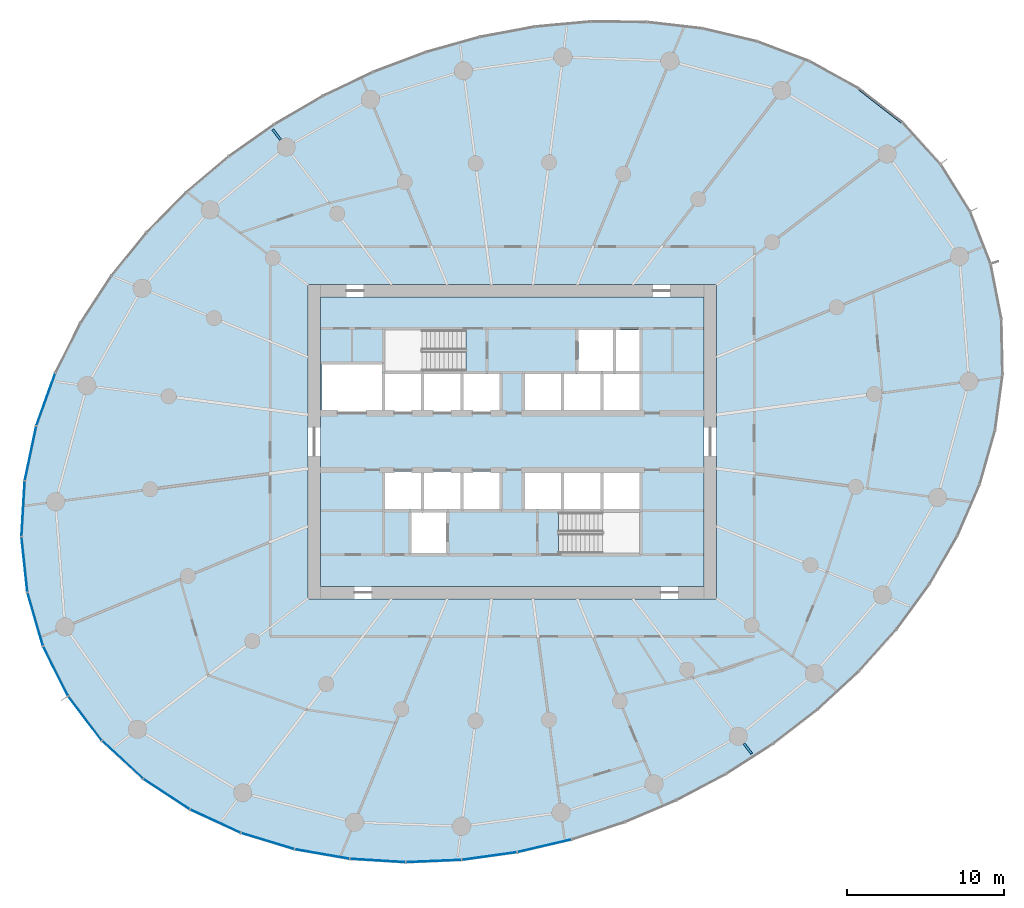
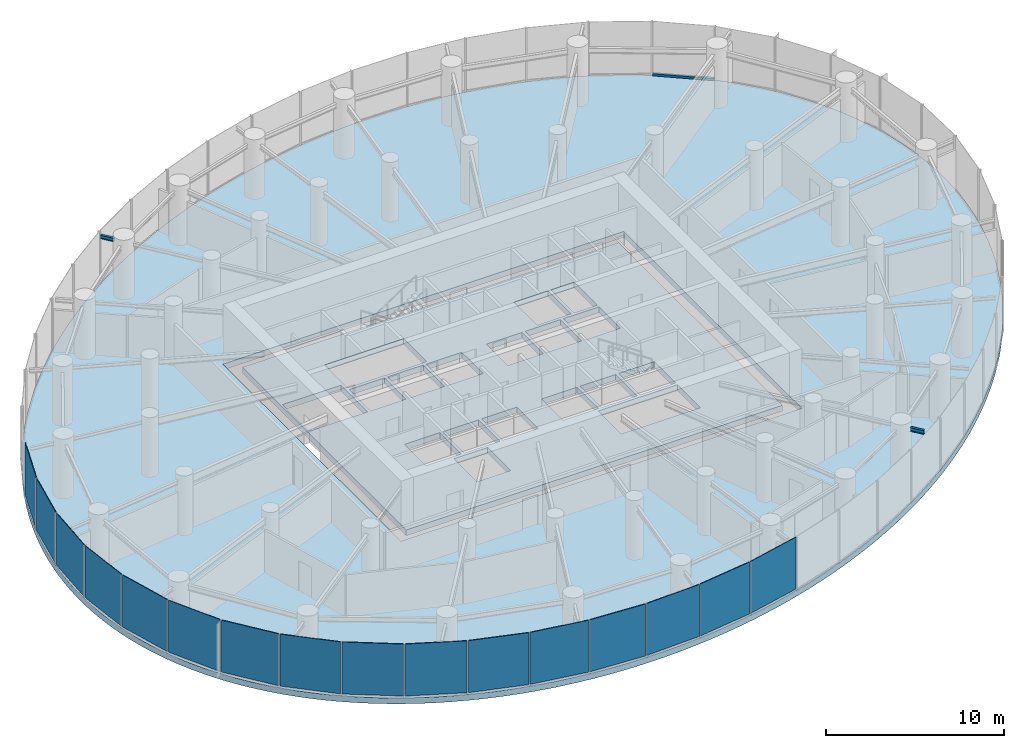
# One storey, part 8 of 17: 16 plates, 2 beams, 2 slabs, 1 member, 4 elements without a shape of their own.
"""IFC4 building model written with IfcOpenShell, lengths in metres."""

import ifcopenshell
import ifcopenshell.guid

model = None  # the IFC model being written
_history = None  # IfcOwnerHistory: only IFC2X3 demands one
_inside = {}  # id of a spatial element -> (the spatial element, [elements in it])
_under = {}  # id of a project, library or spatial element -> (it, [spatial elements below it])
_declared = {}  # id of a project -> (the project, [libraries it declares])
_typed = {}  # id of a type object -> (the type object, [elements of that type])
_made_of = {}  # id of a material, layer set ... -> (it, [elements and type objects made of it])


def new_model(schema):
    """Start an empty IFC model of exactly this schema.

    Asked for "IFC4X3", IfcOpenShell would pick the latest addendum, in which some entities
    have other attributes; the version numbers below select the first issue.
    IFC2X3 requires an IfcOwnerHistory on every rooted entity: one is made here for all.
    """
    global model, _history
    if schema == "IFC4X3":
        model = ifcopenshell.file(schema_version=(4, 3, 0, 0))
    else:
        model = ifcopenshell.file(schema=schema)
    _inside.clear()
    _under.clear()
    _declared.clear()
    _typed.clear()
    _made_of.clear()
    _history = None
    if model.schema == "IFC2X3":
        org = make("IfcOrganization", Name="unknown")
        user = make(
            "IfcPersonAndOrganization",
            ThePerson=make("IfcPerson", FamilyName="unknown"),
            TheOrganization=org,
        )
        app = make(
            "IfcApplication",
            ApplicationDeveloper=org,
            Version="unknown",
            ApplicationFullName="unknown",
            ApplicationIdentifier="unknown",
        )
        _history = make(
            "IfcOwnerHistory",
            OwningUser=user,
            OwningApplication=app,
            ChangeAction="ADDED",
            CreationDate=0,
        )
    return model


def make(cls, **values):
    """One entity of the class cls with the attributes given. An attribute that is None is left unset."""
    return model.create_entity(
        cls, **{name: value for name, value in values.items() if value is not None}
    )


def rooted(cls, **values):
    """An entity with a GlobalId (a new one), such as an element, a storey or a relation."""
    return make(cls, GlobalId=ifcopenshell.guid.new(), OwnerHistory=_history, **values)


def si_unit(unit_type, name, prefix=None):
    """IfcSIUnit, for example si_unit("LENGTHUNIT", "METRE", prefix="MILLI")."""
    return make("IfcSIUnit", UnitType=unit_type, Prefix=prefix, Name=name)


def assignment(units):
    """IfcUnitAssignment: the units of a project."""
    return None if units is None else make("IfcUnitAssignment", Units=units)


def point(xyz):
    """IfcCartesianPoint."""
    return None if xyz is None else make("IfcCartesianPoint", Coordinates=xyz)


def direction(xyz):
    """IfcDirection."""
    return None if xyz is None else make("IfcDirection", DirectionRatios=xyz)


def frame(location, z_axis=None, x_axis=None):
    """IfcAxis2Placement3D, a coordinate frame: its origin and axes. An axis left out is left unset."""
    return make(
        "IfcAxis2Placement3D",
        Location=point(location),
        Axis=direction(z_axis),
        RefDirection=direction(x_axis),
    )


def frame_2d(location, x_axis=None):
    """IfcAxis2Placement2D, a coordinate frame in the plane: its origin and x axis."""
    return make(
        "IfcAxis2Placement2D", Location=point(location), RefDirection=direction(x_axis)
    )


def origin():
    """The frame at (0, 0, 0) with its axes left unset."""
    return frame((0.0, 0.0, 0.0))


def origin_2d():
    """The frame at (0, 0) in the plane with its x axis left unset."""
    return frame_2d((0.0, 0.0))


def place(relative_to, where):
    """IfcLocalPlacement: puts the frame where relative to a parent placement (None: the world)."""
    return make(
        "IfcLocalPlacement", PlacementRelTo=relative_to, RelativePlacement=where
    )


def context(
    kind, dimensions, precision=None, world=None, true_north=None, identifier=None
):
    """IfcGeometricRepresentationContext, for example the 3D "Model" context."""
    return make(
        "IfcGeometricRepresentationContext",
        ContextIdentifier=identifier,
        ContextType=kind,
        CoordinateSpaceDimension=dimensions,
        Precision=precision,
        WorldCoordinateSystem=world,
        TrueNorth=true_north,
    )


def subcontext(parent, identifier, kind, view, scale=None):
    """IfcGeometricRepresentationSubContext, for example "Body" below "Model"."""
    return make(
        "IfcGeometricRepresentationSubContext",
        ContextIdentifier=identifier,
        ContextType=kind,
        ParentContext=parent,
        TargetScale=scale,
        TargetView=view,
    )


def project(units=None, contexts=None):
    """IfcProject with its units and contexts."""
    return rooted(
        "IfcProject",
        Name="project",
        RepresentationContexts=contexts,
        UnitsInContext=assignment(units),
    )


def spatial(cls, under=None, at=None, **own):
    """A site, building, storey or space (cls), placed at a placement, below another one or the project."""
    s = rooted(cls, ObjectPlacement=at, **own)
    if under is not None:
        _under.setdefault(under.id(), (under, []))[1].append(s)
    return s


def point_list(points):
    """IfcCartesianPointList2D or 3D."""
    cls = (
        "IfcCartesianPointList2D" if len(points[0]) == 2 else "IfcCartesianPointList3D"
    )
    return make(cls, CoordList=points)


def line(*indices):
    """IfcLineIndex: a straight run through numbered points of an indexed curve."""
    return model.create_entity("IfcLineIndex", indices)


def indexed_curve(points, segments=None, self_intersect=None):
    """IfcIndexedPolyCurve: lines and arcs through numbered points (the first is 1)."""
    return make(
        "IfcIndexedPolyCurve",
        Points=point_list(points),
        Segments=segments,
        SelfIntersect=self_intersect,
    )


def profile(cls, at=None, kind="AREA", **sizes):
    """A parametric profile (cls). Its sizes go by their IFC names, for example OverallWidth=200.0."""
    return make(cls, ProfileType=kind, Position=at, **sizes)


def rectangle(**sizes):
    """IfcRectangleProfileDef."""
    return profile("IfcRectangleProfileDef", **sizes)


def i_section(**sizes):
    """IfcIShapeProfileDef."""
    return profile("IfcIShapeProfileDef", **sizes)


def outline(outer, holes=None, kind="AREA"):
    """IfcArbitraryClosedProfileDef: a profile drawn as a closed curve; with holes, ...WithVoids."""
    if holes is None:
        return make("IfcArbitraryClosedProfileDef", ProfileType=kind, OuterCurve=outer)
    return make(
        "IfcArbitraryProfileDefWithVoids",
        ProfileType=kind,
        OuterCurve=outer,
        InnerCurves=holes,
    )


def extrude(swept, where, along, depth):
    """IfcExtrudedAreaSolid: the profile swept, set in the frame where, extruded along a direction by depth."""
    return make(
        "IfcExtrudedAreaSolid",
        SweptArea=swept,
        Position=where,
        ExtrudedDirection=direction(along),
        Depth=depth,
    )


def shape(context_of_items, identifier, shape_type, items):
    """IfcShapeRepresentation: the items that make up one representation, for example the "Body"."""
    return make(
        "IfcShapeRepresentation",
        ContextOfItems=context_of_items,
        RepresentationIdentifier=identifier,
        RepresentationType=shape_type,
        Items=items,
    )


def source(mapping_origin, context_of_items, identifier, shape_type, items):
    """IfcRepresentationMap: a shape defined once, which mapped items show again and again."""
    return make(
        "IfcRepresentationMap",
        MappingOrigin=mapping_origin,
        MappedRepresentation=shape(context_of_items, identifier, shape_type, items),
    )


def transform(
    local_origin,
    x_axis=None,
    y_axis=None,
    z_axis=None,
    scale=None,
    scale2=None,
    scale3=None,
    uniform=True,
):
    """IfcCartesianTransformationOperator3D, or its non-uniform kind. x_axis, y_axis, z_axis: its Axis1, 2, 3."""
    if uniform:
        return make(
            "IfcCartesianTransformationOperator3D",
            Axis1=direction(x_axis),
            Axis2=direction(y_axis),
            LocalOrigin=point(local_origin),
            Scale=scale,
            Axis3=direction(z_axis),
        )
    return make(
        "IfcCartesianTransformationOperator3DnonUniform",
        Axis1=direction(x_axis),
        Axis2=direction(y_axis),
        LocalOrigin=point(local_origin),
        Scale=scale,
        Axis3=direction(z_axis),
        Scale2=scale2,
        Scale3=scale3,
    )


def mapped(mapping_source, mapping_target):
    """IfcMappedItem: shows the shape of a source again, moved by a transform."""
    return make(
        "IfcMappedItem", MappingSource=mapping_source, MappingTarget=mapping_target
    )


def material(Name=None, Category=None):
    """IfcMaterial."""
    return make("IfcMaterial", Name=Name, Category=Category)


def layer(
    of_material, thickness, ventilated=None, Name=None, Category=None, Priority=None
):
    """IfcMaterialLayer: one layer of a wall or slab, of a material (None: an air gap)."""
    return make(
        "IfcMaterialLayer",
        Material=of_material,
        LayerThickness=thickness,
        IsVentilated=ventilated,
        Name=Name,
        Category=Category,
        Priority=Priority,
    )


def layer_set(layers, Name=None):
    """IfcMaterialLayerSet."""
    return make("IfcMaterialLayerSet", MaterialLayers=layers, LayerSetName=Name)


def material_profile(
    of_material, cross_section, Name=None, Category=None, Priority=None
):
    """IfcMaterialProfile: a cross section and its material."""
    return make(
        "IfcMaterialProfile",
        Name=Name,
        Material=of_material,
        Profile=cross_section,
        Priority=Priority,
        Category=Category,
    )


def profile_set(profiles, Name=None, composite=None):
    """IfcMaterialProfileSet."""
    return make(
        "IfcMaterialProfileSet",
        Name=Name,
        MaterialProfiles=profiles,
        CompositeProfile=composite,
    )


def made_of(thing, what):
    """Note that an element or type object is made of a material, layer set ...; save() writes the relation."""
    if what is not None:
        _made_of.setdefault(what.id(), (what, []))[1].append(thing)
    return thing


def type_object(cls, material=None, **own):
    """A type object (cls), such as IfcWallType, which elements share."""
    return made_of(rooted(cls, **own), material)


def element(
    cls,
    number,
    at=None,
    inside=None,
    cuts=None,
    type_object=None,
    material=None,
    context=None,
    identifier="Body",
    shape_type=None,
    held_by="IfcProductDefinitionShape",
    body=None,
    shapes=None,
    **own,
):
    """One element of the class cls, such as IfcWall. Its Tag is "e" and its number.

    at: its placement. inside: the storey or other place that contains it. cuts: it is an
    opening in that element (IfcRelVoidsElement). A single representation is given by context,
    identifier, shape_type and body (its items); several are given by shapes. held_by: the class
    of the entity that holds the representations. save() writes the other relations.
    """
    e = rooted(cls, Tag="e%d" % number, ObjectPlacement=at, **own)
    if body is not None:
        shapes = [shape(context, identifier, shape_type, body)]
    if shapes is not None:
        e.Representation = make(held_by, Representations=shapes)
    if inside is not None:
        _inside.setdefault(inside.id(), (inside, []))[1].append(e)
    if cuts is not None:
        rooted(
            "IfcRelVoidsElement", RelatingBuildingElement=cuts, RelatedOpeningElement=e
        )
    if type_object is not None:
        _typed.setdefault(type_object.id(), (type_object, []))[1].append(e)
    return made_of(e, material)


def aggregate(whole, parts):
    """IfcRelAggregates: a whole, such as a stair, and the parts it consists of."""
    return rooted("IfcRelAggregates", RelatingObject=whole, RelatedObjects=parts)


def save(model, path):
    """Write the relations noted so far, then the file.

    IfcRelAggregates (storeys below a building ...), IfcRelContainedInSpatialStructure (elements
    in a storey), IfcRelDefinesByType, IfcRelAssociatesMaterial and IfcRelDeclares: one each for
    every whole, place, type object, material and project.
    """
    for whole, parts in _under.values():
        aggregate(whole, parts)
    for where, things in _inside.values():
        rooted(
            "IfcRelContainedInSpatialStructure",
            RelatedElements=things,
            RelatingStructure=where,
        )
    for kind, things in _typed.values():
        rooted("IfcRelDefinesByType", RelatedObjects=things, RelatingType=kind)
    for what, things in _made_of.values():
        rooted("IfcRelAssociatesMaterial", RelatedObjects=things, RelatingMaterial=what)
    for by, libraries in _declared.values():
        rooted("IfcRelDeclares", RelatingContext=by, RelatedDefinitions=libraries)
    model.write(path)


model = new_model("IFC4")

# Units and contexts
model_context = context("Model", 3, precision=1e-05, world=origin(), true_north=direction((0.0, 1.0)))
body_context = subcontext(model_context, "Body", "Model", "MODEL_VIEW")
ifc_project = project(units=[si_unit("LENGTHUNIT", "METRE"), si_unit("AREAUNIT", "SQUARE_METRE"), si_unit("VOLUMEUNIT", "CUBIC_METRE"), si_unit("PLANEANGLEUNIT", "RADIAN"), si_unit("MASSUNIT", "GRAM", prefix="KILO")], contexts=[model_context])

# Site, building, storey
site_placement = place(None, origin())
site = spatial("IfcSite", under=ifc_project, at=site_placement, CompositionType="ELEMENT")
building_placement = place(site_placement, origin())
building = spatial("IfcBuilding", under=site, at=building_placement, Name="Spindrift Exchange Tower", CompositionType="ELEMENT")
storey_placement = place(building_placement, frame((0.0, 0.0, 100.300048828125)))
storey = spatial("IfcBuildingStorey", under=building, at=storey_placement, Name="L23", CompositionType="ELEMENT", Elevation=100.300048828125)

# Beams
ifc_material_1 = material(Name="Steel Grade 300", Category="steel")
ifc_material_profile_1 = material_profile(ifc_material_1, i_section(OverallWidth=0.14599609375, OverallDepth=0.251953125, WebThickness=0.006103515625, FlangeThickness=0.008544921875, FilletRadius=0.011962890625, at=origin_2d()), Name="250UB31.4")
ifc_profile_set_1 = profile_set([ifc_material_profile_1], Name="Steel Grade 300")
beam_type = type_object("IfcBeamType", Name="Cantilever Beam 250UB31.4 Steel Grade 300", PredefinedType="BEAM", material=ifc_profile_set_1)
shared_shape_1 = source(origin(), body_context, "Body", "SweptSolid", [
    extrude(i_section(OverallWidth=0.14599609375, OverallDepth=0.251953125, WebThickness=0.006103515625, FlangeThickness=0.008544921875, FilletRadius=0.011962890625, at=origin_2d()), origin(), (0.0, 0.0, 1.0), 0.82177734375),
])
for number, where, z_axis, x_axis, name in (
    (1, (37.264892578125, 67.203125, 3.573974609375), (-0.608805739137, 0.793319337968, 0.0), (-0.793319337968, -0.608805739137, 0.0), "L23 cantilever beam R09T"),
    (2, (66.735107421875, 28.796875, 3.573974609375), (0.608805739137, -0.793319337968, 0.0), (0.793319337968, 0.608805739137, 0.0), "L23 cantilever beam R21T"),
):
    element("IfcBeam", number, at=place(storey_placement, frame(where, z_axis=z_axis, x_axis=x_axis)), inside=storey, type_object=beam_type, Name=name, PredefinedType="BEAM", context=body_context, shape_type="MappedRepresentation", body=[
        mapped(shared_shape_1, transform((0.0, 0.0, 0.0), scale=1.0)),
    ])

# Curtain wall, member
ifc_material_2 = material(Name="Fritted laminated glass with bronze frame", Category="glass")
ifc_layer_1 = layer(ifc_material_2, 0.18994140625)
ifc_layer_set_1 = layer_set([ifc_layer_1], Name="ZONE 2 BRONZE FRITTED WALL")
curtain_wall_type = type_object("IfcCurtainWallType", Name="ZONE 2 BRONZE FRITTED WALL", PredefinedType="NOTDEFINED", material=ifc_layer_set_1)
curtain_wall_1_placement = place(storey_placement, origin())
curtain_wall_1 = element("IfcCurtainWall", 3, at=curtain_wall_1_placement, inside=storey, type_object=curtain_wall_type, Name="L23 Zone 2 Bronze Fritted Wall run 1", PredefinedType="NOTDEFINED")
ifc_material_3 = material(Name="Bronze anodised aluminium", Category="aluminium")
ifc_material_profile_2 = material_profile(ifc_material_3, rectangle(XDim=0.169921875, YDim=0.139892578125, at=origin_2d()), Name="ZONE 2 BRONZE FRITTED WALL TRANSOM 170X140")
ifc_profile_set_2 = profile_set([ifc_material_profile_2], Name="Bronze anodised aluminium")
member_type = type_object("IfcMemberType", Name="ZONE 2 BRONZE FRITTED WALL TRANSOM 170X140", PredefinedType="USERDEFINED", material=ifc_profile_set_2)
shared_shape_2 = source(origin(), body_context, "Body", "SweptSolid", [
    extrude(rectangle(XDim=0.169921875, YDim=0.139892578125, at=origin_2d()), origin(), (0.0, 0.0, 1.0), 3.48876953125),
])
member_placement = place(storey_placement, frame((76.814208984375, 68.315185546875, 0.070068359375), z_axis=(-0.788967704572, 0.614434667921, 0.0), x_axis=(-0.614434667921, -0.788967704572, 0.0)))
member = element("IfcMember", 4, at=member_placement, type_object=member_type, Name="L23 transom CW-2.3", ObjectType="TRANSOM", PredefinedType="USERDEFINED", context=body_context, shape_type="MappedRepresentation", body=[
    mapped(shared_shape_2, transform((0.0, 0.0, 0.0), scale=1.0)),
])
aggregate(curtain_wall_1, [member])

# Slabs
ifc_material_4 = material(Name="Concrete 50 MPa", Category="concrete")
ifc_layer_2 = layer(ifc_material_4, 0.39990234375)
ifc_layer_set_2 = layer_set([ifc_layer_2], Name="RC Floor Slab 400 Concrete 50 MPa")
slab_type_1 = type_object("IfcSlabType", Name="RC Floor Slab 400 Concrete 50 MPa", PredefinedType="FLOOR", material=ifc_layer_set_2)
slab_1_placement = place(storey_placement, frame((0.0, 0.0, -0.400146484375)))
element("IfcSlab", 5, at=slab_1_placement, inside=storey, type_object=slab_type_1, Name="Floor slab L23", PredefinedType="FLOOR", context=body_context, shape_type="SweptSolid", body=[
    extrude(outline(indexed_curve([(81.1279296875, 62.63427734375), (80.89501953125, 63.0830078125), (80.650634765625, 63.525390625), (80.394775390625, 63.961181640625), (80.12744140625, 64.39013671875), (79.84912109375, 64.81201171875), (79.56005859375, 65.2265625), (79.26025390625, 65.63330078125), (78.9501953125, 66.032470703125), (78.6298828125, 66.423583984375), (78.2998046875, 66.806396484375), (77.960205078125, 67.180908203125), (77.611572265625, 67.546630859375), (77.25390625, 67.903564453125), (76.887451171875, 68.251708984375), (76.5126953125, 68.591064453125), (76.130126953125, 68.921142578125), (75.739501953125, 69.241943359375), (75.341796875, 69.5537109375), (74.936767578125, 69.856201171875), (74.52490234375, 70.149169921875), (74.106689453125, 70.4326171875), (73.681884765625, 70.706787109375), (73.25146484375, 70.9716796875), (72.815185546875, 71.22705078125), (72.373779296875, 71.472900390625), (71.927001953125, 71.70947265625), (71.4755859375, 71.9365234375), (71.01953125, 72.154541015625), (70.55908203125, 72.363037109375), (70.0947265625, 72.562255859375), (69.154541015625, 72.93359375), (68.20068359375, 73.268310546875), (67.719482421875, 73.42236328125), (67.2353515625, 73.567626953125), (66.259521484375, 73.831787109375), (65.768310546875, 73.95068359375), (64.7802734375, 74.16357421875), (64.28369140625, 74.25732421875), (63.285888671875, 74.419921875), (62.785400390625, 74.4892578125), (61.781005859375, 74.603515625), (61.277587890625, 74.64892578125), (60.26904296875, 74.716552734375), (59.76416015625, 74.73876953125), (58.75341796875, 74.760986328125), (57.74267578125, 74.753662109375), (57.237548828125, 74.739013671875), (56.732421875, 74.71728515625), (55.7236328125, 74.65283203125), (54.717041015625, 74.560791015625), (54.21484375, 74.50439453125), (53.212890625, 74.371826171875), (52.713134765625, 74.29541015625), (51.717041015625, 74.12353515625), (51.220703125, 74.02783203125), (50.7255859375, 73.92578125), (49.73974609375, 73.702880859375), (48.759765625, 73.45556640625), (48.27197265625, 73.322509765625), (47.302001953125, 73.038818359375), (46.819580078125, 72.8876953125), (45.8603515625, 72.568603515625), (45.3837890625, 72.400146484375), (44.43701171875, 72.046142578125), (43.966796875, 71.860595703125), (43.033447265625, 71.47265625), (42.109619140625, 71.0625), (41.6513671875, 70.84912109375), (40.742919921875, 70.406005859375), (39.84521484375, 69.94140625), (38.95849609375, 69.455810546875), (38.083984375, 68.94873046875), (37.6513671875, 68.6875), (37.221923828125, 68.421142578125), (36.372802734375, 67.872802734375), (35.537109375, 67.303955078125), (35.12451171875, 67.011962890625), (34.715576171875, 66.715087890625), (33.90869140625, 66.106201171875), (33.1171875, 65.477294921875), (32.727294921875, 65.15576171875), (31.9599609375, 64.497802734375), (31.582763671875, 64.161376953125), (31.209716796875, 63.8203125), (30.47705078125, 63.123779296875), (29.762939453125, 62.408447265625), (29.4130859375, 62.043701171875), (28.728271484375, 61.30029296875), (28.393310546875, 60.921630859375), (27.739501953125, 60.15087890625), (27.420654296875, 59.758544921875), (26.7998046875, 58.960693359375), (26.498291015625, 58.555419921875), (26.202392578125, 58.1455078125), (25.629150390625, 57.31298828125), (25.081298828125, 56.46337890625), (24.8173828125, 56.032470703125), (24.3095703125, 55.158447265625), (24.06640625, 54.71533203125), (23.601318359375, 53.81787109375), (23.380126953125, 53.36328125), (23.16650390625, 52.9052734375), (22.76318359375, 51.978515625), (22.392822265625, 51.0380859375), (22.22021484375, 50.56298828125), (21.901611328125, 49.603515625), (21.756103515625, 49.11962890625), (21.492431640625, 48.143798828125), (21.375244140625, 47.652099609375), (21.267578125, 47.158203125), (21.17041015625, 46.662353515625), (21.0830078125, 46.16455078125), (21.006103515625, 45.6650390625), (20.93994140625, 45.1640625), (20.884521484375, 44.66162109375), (20.83984375, 44.158203125), (20.806396484375, 43.65380859375), (20.7841796875, 43.14892578125), (20.773681640625, 42.6435546875), (20.7744140625, 42.13818359375), (20.786865234375, 41.6328125), (20.811279296875, 41.128173828125), (20.847900390625, 40.6240234375), (20.896240234375, 40.120849609375), (20.956787109375, 39.619140625), (21.02978515625, 39.118896484375), (21.115234375, 38.620849609375), (21.212890625, 38.125), (21.322998046875, 37.631591796875), (21.445556640625, 37.141357421875), (21.580810546875, 36.654296875), (21.728271484375, 36.1708984375), (21.88818359375, 35.69140625), (22.060546875, 35.21630859375), (22.245361328125, 34.745849609375), (22.442138671875, 34.280517578125), (22.651123046875, 33.8203125), (22.8720703125, 33.36572265625), (23.10498046875, 32.9169921875), (23.349365234375, 32.474609375), (23.605224609375, 32.038818359375), (23.87255859375, 31.60986328125), (24.15087890625, 31.18798828125), (24.43994140625, 30.7734375), (24.73974609375, 30.36669921875), (25.0498046875, 29.967529296875), (25.3701171875, 29.576416015625), (25.7001953125, 29.193603515625), (26.039794921875, 28.819091796875), (26.388427734375, 28.453369140625), (26.74609375, 28.096435546875), (27.112548828125, 27.748291015625), (27.4873046875, 27.408935546875), (27.869873046875, 27.078857421875), (28.260498046875, 26.758056640625), (28.658203125, 26.4462890625), (29.063232421875, 26.143798828125), (29.47509765625, 25.850830078125), (29.893310546875, 25.5673828125), (30.318115234375, 25.293212890625), (30.74853515625, 25.0283203125), (31.184814453125, 24.77294921875), (31.626220703125, 24.527099609375), (32.072998046875, 24.29052734375), (32.5244140625, 24.0634765625), (32.98046875, 23.845458984375), (33.44091796875, 23.636962890625), (33.9052734375, 23.437744140625), (34.845458984375, 23.06640625), (35.79931640625, 22.731689453125), (36.280517578125, 22.57763671875), (36.7646484375, 22.432373046875), (37.740478515625, 22.168212890625), (38.231689453125, 22.04931640625), (39.2197265625, 21.83642578125), (39.71630859375, 21.74267578125), (40.714111328125, 21.580078125), (41.214599609375, 21.5107421875), (42.218994140625, 21.396484375), (42.722412109375, 21.35107421875), (43.73095703125, 21.283447265625), (44.23583984375, 21.26123046875), (45.24658203125, 21.239013671875), (46.25732421875, 21.246337890625), (46.762451171875, 21.260986328125), (47.267578125, 21.28271484375), (48.2763671875, 21.34716796875), (49.282958984375, 21.439208984375), (49.78515625, 21.49560546875), (50.787109375, 21.628173828125), (51.286865234375, 21.70458984375), (52.282958984375, 21.87646484375), (52.779296875, 21.97216796875), (53.2744140625, 22.07421875), (54.26025390625, 22.297119140625), (55.240234375, 22.54443359375), (55.72802734375, 22.677490234375), (56.697998046875, 22.961181640625), (57.180419921875, 23.1123046875), (58.1396484375, 23.431396484375), (58.6162109375, 23.599853515625), (59.56298828125, 23.953857421875), (60.033203125, 24.139404296875), (60.966552734375, 24.52734375), (61.890380859375, 24.9375), (62.3486328125, 25.15087890625), (63.257080078125, 25.593994140625), (64.15478515625, 26.05859375), (65.04150390625, 26.544189453125), (65.916015625, 27.05126953125), (66.3486328125, 27.3125), (66.778076171875, 27.578857421875), (67.627197265625, 28.127197265625), (68.462890625, 28.696044921875), (68.87548828125, 28.988037109375), (69.284423828125, 29.284912109375), (70.09130859375, 29.893798828125), (70.8828125, 30.522705078125), (71.272705078125, 30.84423828125), (72.0400390625, 31.502197265625), (72.417236328125, 31.838623046875), (72.790283203125, 32.1796875), (73.52294921875, 32.876220703125), (74.237060546875, 33.591552734375), (74.5869140625, 33.956298828125), (75.271728515625, 34.69970703125), (75.606689453125, 35.078369140625), (76.260498046875, 35.84912109375), (76.579345703125, 36.241455078125), (77.2001953125, 37.039306640625), (77.501708984375, 37.444580078125), (77.797607421875, 37.8544921875), (78.370849609375, 38.68701171875), (78.918701171875, 39.53662109375), (79.1826171875, 39.967529296875), (79.6904296875, 40.841552734375), (79.93359375, 41.28466796875), (80.398681640625, 42.18212890625), (80.619873046875, 42.63671875), (80.83349609375, 43.0947265625), (81.23681640625, 44.021484375), (81.607177734375, 44.9619140625), (81.77978515625, 45.43701171875), (82.098388671875, 46.396484375), (82.243896484375, 46.88037109375), (82.507568359375, 47.856201171875), (82.624755859375, 48.347900390625), (82.732421875, 48.841796875), (82.82958984375, 49.337646484375), (82.9169921875, 49.83544921875), (82.993896484375, 50.3349609375), (83.06005859375, 50.8359375), (83.115478515625, 51.33837890625), (83.16015625, 51.841796875), (83.193603515625, 52.34619140625), (83.2158203125, 52.85107421875), (83.226318359375, 53.3564453125), (83.2255859375, 53.86181640625), (83.213134765625, 54.3671875), (83.188720703125, 54.871826171875), (83.152099609375, 55.3759765625), (83.103759765625, 55.879150390625), (83.043212890625, 56.380859375), (82.97021484375, 56.881103515625), (82.884765625, 57.379150390625), (82.787109375, 57.875), (82.677001953125, 58.368408203125), (82.554443359375, 58.858642578125), (82.419189453125, 59.345703125), (82.271728515625, 59.8291015625), (82.11181640625, 60.30859375), (81.939453125, 60.78369140625), (81.754638671875, 61.254150390625), (81.557861328125, 61.719482421875), (81.348876953125, 62.1796875)], segments=[line(1, 2, 3, 4, 5, 6, 7, 8, 9, 10, 11, 12, 13, 14, 15, 16, 17, 18, 19, 20, 21, 22, 23, 24, 25, 26, 27, 28, 29, 30, 31, 32, 33, 34, 35, 36, 37, 38, 39, 40, 41, 42, 43, 44, 45, 46, 47, 48, 49, 50, 51, 52, 53, 54, 55, 56, 57, 58, 59, 60, 61, 62, 63, 64, 65, 66, 67, 68, 69, 70, 71, 72, 73, 74, 75, 76, 77, 78, 79, 80, 81, 82, 83, 84, 85, 86, 87, 88, 89, 90, 91, 92, 93, 94, 95, 96, 97, 98, 99, 100, 101, 102, 103, 104, 105, 106, 107, 108, 109, 110, 111, 112, 113, 114, 115, 116, 117, 118, 119, 120, 121, 122, 123, 124, 125, 126, 127, 128, 129, 130, 131, 132, 133, 134, 135, 136, 137, 138, 139, 140, 141, 142, 143, 144, 145, 146, 147, 148, 149, 150, 151, 152, 153, 154, 155, 156, 157, 158, 159, 160, 161, 162, 163, 164, 165, 166, 167, 168, 169, 170, 171, 172, 173, 174, 175, 176, 177, 178, 179, 180, 181, 182, 183, 184, 185, 186, 187, 188, 189, 190, 191, 192, 193, 194, 195, 196, 197, 198, 199, 200, 201, 202, 203, 204, 205, 206, 207, 208, 209, 210, 211, 212, 213, 214, 215, 216, 217, 218, 219, 220, 221, 222, 223, 224, 225, 226, 227, 228, 229, 230, 231, 232, 233, 234, 235, 236, 237, 238, 239, 240, 241, 242, 243, 244, 245, 246, 247, 248, 249, 250, 251, 252, 253, 254, 255, 256, 257, 258, 259, 260, 261, 262, 263, 264, 265, 266, 267, 268, 269, 270, 271, 272, 273, 274, 275, 276, 1)], self_intersect=False), holes=[indexed_curve([(39.0, 38.0), (65.0, 38.0), (65.0, 58.0), (39.0, 58.0)], segments=[line(1, 2, 3, 4, 1)], self_intersect=False)]), origin(), (0.0, 0.0, 1.0), 0.400146484375),
])
ifc_layer_3 = layer(ifc_material_4, 0.39990234375)
ifc_layer_set_3 = layer_set([ifc_layer_3], Name="SL-CORE-FLOOR-400")
slab_type_2 = type_object("IfcSlabType", Name="SL-CORE-FLOOR-400", PredefinedType="FLOOR", material=ifc_layer_set_3)
slab_2_placement = place(storey_placement, frame((0.0, 0.0, -0.400146484375)))
element("IfcSlab", 6, at=slab_2_placement, inside=storey, type_object=slab_type_2, Name="L23 Core floor slab", PredefinedType="FLOOR", context=body_context, shape_type="SweptSolid", body=[
    extrude(outline(indexed_curve([(39.800048828125, 38.800048828125), (39.800048828125, 57.199951171875), (64.199951171875, 57.199951171875), (64.199951171875, 38.800048828125)], segments=[line(1, 2, 3, 4, 1)], self_intersect=False), holes=[indexed_curve([(47.800048828125, 43.5), (45.60009765625, 43.5), (45.60009765625, 40.89990234375), (47.800048828125, 40.89990234375)], segments=[line(1, 2, 3, 4, 1)], self_intersect=False), indexed_curve([(46.199951171875, 46.10009765625), (43.89990234375, 46.10009765625), (43.89990234375, 43.699951171875), (46.199951171875, 43.699951171875)], segments=[line(1, 2, 3, 4, 1)], self_intersect=False), indexed_curve([(48.699951171875, 46.10009765625), (46.39990234375, 46.10009765625), (46.39990234375, 43.699951171875), (48.699951171875, 43.699951171875)], segments=[line(1, 2, 3, 4, 1)], self_intersect=False), indexed_curve([(51.199951171875, 46.10009765625), (48.89990234375, 46.10009765625), (48.89990234375, 43.699951171875), (51.199951171875, 43.699951171875)], segments=[line(1, 2, 3, 4, 1)], self_intersect=False), indexed_curve([(46.199951171875, 52.300048828125), (43.89990234375, 52.300048828125), (43.89990234375, 49.89990234375), (46.199951171875, 49.89990234375)], segments=[line(1, 2, 3, 4, 1)], self_intersect=False), indexed_curve([(48.699951171875, 52.300048828125), (46.39990234375, 52.300048828125), (46.39990234375, 49.89990234375), (48.699951171875, 49.89990234375)], segments=[line(1, 2, 3, 4, 1)], self_intersect=False), indexed_curve([(51.199951171875, 52.300048828125), (48.89990234375, 52.300048828125), (48.89990234375, 49.89990234375), (51.199951171875, 49.89990234375)], segments=[line(1, 2, 3, 4, 1)], self_intersect=False), indexed_curve([(43.699951171875, 49.89990234375), (43.699951171875, 52.89990234375), (39.89990234375, 52.89990234375), (39.89990234375, 49.89990234375)], segments=[line(1, 2, 3, 4, 1)], self_intersect=False), indexed_curve([(49.0439453125, 55.093994140625), (43.906005859375, 55.093994140625), (43.906005859375, 52.506103515625), (49.0439453125, 52.506103515625)], segments=[line(1, 2, 3, 4, 1)], self_intersect=False), indexed_curve([(60.093994140625, 40.906005859375), (60.093994140625, 43.493896484375), (54.9560546875, 43.493896484375), (54.9560546875, 40.906005859375)], segments=[line(1, 2, 3, 4, 1)], self_intersect=False), indexed_curve([(55.10009765625, 46.10009765625), (52.800048828125, 46.10009765625), (52.800048828125, 43.699951171875), (55.10009765625, 43.699951171875)], segments=[line(1, 2, 3, 4, 1)], self_intersect=False), indexed_curve([(57.60009765625, 46.10009765625), (55.300048828125, 46.10009765625), (55.300048828125, 43.699951171875), (57.60009765625, 43.699951171875)], segments=[line(1, 2, 3, 4, 1)], self_intersect=False), indexed_curve([(60.10009765625, 46.10009765625), (57.800048828125, 46.10009765625), (57.800048828125, 43.699951171875), (60.10009765625, 43.699951171875)], segments=[line(1, 2, 3, 4, 1)], self_intersect=False), indexed_curve([(55.10009765625, 52.300048828125), (52.800048828125, 52.300048828125), (52.800048828125, 49.89990234375), (55.10009765625, 49.89990234375)], segments=[line(1, 2, 3, 4, 1)], self_intersect=False), indexed_curve([(57.60009765625, 52.300048828125), (55.300048828125, 52.300048828125), (55.300048828125, 49.89990234375), (57.60009765625, 49.89990234375)], segments=[line(1, 2, 3, 4, 1)], self_intersect=False), indexed_curve([(60.10009765625, 52.300048828125), (57.800048828125, 52.300048828125), (57.800048828125, 49.89990234375), (60.10009765625, 49.89990234375)], segments=[line(1, 2, 3, 4, 1)], self_intersect=False), indexed_curve([(58.39990234375, 52.5), (58.39990234375, 55.10009765625), (56.199951171875, 55.10009765625), (56.199951171875, 52.5)], segments=[line(1, 2, 3, 4, 1)], self_intersect=False), indexed_curve([(60.10009765625, 52.5), (60.10009765625, 55.10009765625), (58.60009765625, 55.10009765625), (58.60009765625, 52.5)], segments=[line(1, 2, 3, 4, 1)], self_intersect=False)]), origin(), (0.0, 0.0, 1.0), 0.400146484375),
])

# Curtain wall, plates
curtain_wall_2_placement = place(storey_placement, origin())
curtain_wall_2 = element("IfcCurtainWall", 7, at=curtain_wall_2_placement, inside=storey, type_object=curtain_wall_type, Name="L23 Zone 2 Bronze Fritted Wall run 6", PredefinedType="NOTDEFINED")
ifc_material_5 = material(Name="Bronze fritted laminated glass, close frit", Category="glass")
ifc_layer_4 = layer(ifc_material_5, 0.033935546875)
ifc_layer_set_4 = layer_set([ifc_layer_4], Name="ZONE 2 BRONZE FRITTED WALL PANEL CLOSE FRIT 420")
plate_type_1 = type_object("IfcPlateType", Name="ZONE 2 BRONZE FRITTED WALL PANEL CLOSE FRIT 420", PredefinedType="CURTAIN_PANEL", material=ifc_layer_set_4)
shared_shape_3 = source(origin(), body_context, "Body", "SweptSolid", [
    extrude(rectangle(XDim=3.491455078125, YDim=0.033935546875, at=origin_2d()), origin(), (0.0, 0.0, 1.0), 3.56005859375),
])
plate_1_placement = place(storey_placement, frame((50.5458984375, 21.635986328125, 0.139892578125), z_axis=(0.0, 0.0, 1.0), x_axis=(0.990430859208, 0.138009829823, 0.0)))
plate_1 = element("IfcPlate", 8, at=plate_1_placement, type_object=plate_type_1, Name="L23 panel CW-2.35", PredefinedType="CURTAIN_PANEL", context=body_context, shape_type="MappedRepresentation", body=[
    mapped(shared_shape_3, transform((0.0, 0.0, 0.0), scale=1.0)),
])
plate_2_placement = place(storey_placement, frame((54.048583984375, 22.287841796875, 0.139892578125), z_axis=(0.0, 0.0, 1.0), x_axis=(0.973770658222, 0.22753176742, 0.0)))
plate_2 = element("IfcPlate", 9, at=plate_2_placement, type_object=plate_type_1, Name="L23 panel CW-2.36", PredefinedType="CURTAIN_PANEL", context=body_context, shape_type="MappedRepresentation", body=[
    mapped(shared_shape_3, transform((0.0, 0.0, 0.0), scale=1.0)),
])
ifc_layer_5 = layer(ifc_material_5, 0.033935546875)
ifc_layer_set_5 = layer_set([ifc_layer_5], Name="ZONE 2 BRONZE FRITTED WALL PANEL CLOSE FRIT 540")
plate_type_2 = type_object("IfcPlateType", Name="ZONE 2 BRONZE FRITTED WALL PANEL CLOSE FRIT 540", PredefinedType="CURTAIN_PANEL", material=ifc_layer_set_5)
shared_shape_4 = source(origin(), body_context, "Body", "SweptSolid", [
    extrude(rectangle(XDim=3.4912109375, YDim=0.033935546875, at=origin_2d()), origin(), (0.0, 0.0, 1.0), 3.56005859375),
])
plate_3_placement = place(storey_placement, frame((46.998291015625, 21.314697265625, 0.139892578125), z_axis=(0.0, 0.0, 1.0), x_axis=(0.999109109653, 0.042201741775, 0.0)))
plate_3 = element("IfcPlate", 10, at=plate_3_placement, type_object=plate_type_2, Name="L23 panel CW-2.34", PredefinedType="CURTAIN_PANEL", context=body_context, shape_type="MappedRepresentation", body=[
    mapped(shared_shape_4, transform((0.0, 0.0, 0.0), scale=1.0)),
])

# Curtain wall, plate
curtain_wall_3_placement = place(storey_placement, origin())
curtain_wall_3 = element("IfcCurtainWall", 11, at=curtain_wall_3_placement, inside=storey, type_object=curtain_wall_type, Name="L23 Zone 2 Bronze Fritted Wall run 4", PredefinedType="NOTDEFINED")
ifc_layer_6 = layer(ifc_material_5, 0.033935546875)
ifc_layer_set_6 = layer_set([ifc_layer_6], Name="ZONE 2 BRONZE FRITTED WALL PANEL CLOSE FRIT 300")
plate_type_3 = type_object("IfcPlateType", Name="ZONE 2 BRONZE FRITTED WALL PANEL CLOSE FRIT 300", PredefinedType="CURTAIN_PANEL", material=ifc_layer_set_6)
shared_shape_5 = source(origin(), body_context, "Body", "SweptSolid", [
    extrude(rectangle(XDim=3.489013671875, YDim=0.033935546875, at=origin_2d()), origin(), (0.0, 0.0, 1.0), 3.56005859375),
])
plate_4_placement = place(storey_placement, frame((20.881591796875, 43.73876953125, 0.139892578125), z_axis=(0.0, 0.0, 1.0), x_axis=(-0.058388179089, -0.998293954977, 0.0)))
plate_4 = element("IfcPlate", 12, at=plate_4_placement, type_object=plate_type_3, Name="L23 panel CW-2.23", PredefinedType="CURTAIN_PANEL", context=body_context, shape_type="MappedRepresentation", body=[
    mapped(shared_shape_5, transform((0.0, 0.0, 0.0), scale=1.0)),
])

# Curtain wall, plates
curtain_wall_4_placement = place(storey_placement, origin())
curtain_wall_4 = element("IfcCurtainWall", 13, at=curtain_wall_4_placement, inside=storey, type_object=curtain_wall_type, Name="L23 Zone 2 Bronze Fritted Wall run 5", PredefinedType="NOTDEFINED")
shared_shape_6 = source(origin(), body_context, "Body", "SweptSolid", [
    extrude(rectangle(XDim=3.48779296875, YDim=0.033935546875, at=origin_2d()), origin(), (0.0, 0.0, 1.0), 3.56005859375),
])
plate_5_placement = place(storey_placement, frame((21.64990234375, 36.705322265625, 0.139892578125), z_axis=(0.0, 0.0, 1.0), x_axis=(0.278459762281, -0.960447895927, 0.0)))
plate_5 = element("IfcPlate", 14, at=plate_5_placement, type_object=plate_type_1, Name="L23 panel CW-2.25", PredefinedType="CURTAIN_PANEL", context=body_context, shape_type="MappedRepresentation", body=[
    mapped(shared_shape_6, transform((0.0, 0.0, 0.0), scale=1.0)),
])
shared_shape_7 = source(origin(), body_context, "Body", "SweptSolid", [
    extrude(rectangle(XDim=3.48779296875, YDim=0.033935546875, at=origin_2d()), origin(), (0.0, 0.0, 1.0), 3.56005859375),
])
plate_6_placement = place(storey_placement, frame((24.822021484375, 30.3916015625, 0.139892578125), z_axis=(0.0, 0.0, 1.0), x_axis=(0.604378048677, -0.79669766805, 0.0)))
plate_6 = element("IfcPlate", 15, at=plate_6_placement, type_object=plate_type_2, Name="L23 panel CW-2.27", PredefinedType="CURTAIN_PANEL", context=body_context, shape_type="MappedRepresentation", body=[
    mapped(shared_shape_7, transform((0.0, 0.0, 0.0), scale=1.0)),
])
shared_shape_8 = source(origin(), body_context, "Body", "SweptSolid", [
    extrude(rectangle(XDim=3.489013671875, YDim=0.033935546875, at=origin_2d()), origin(), (0.0, 0.0, 1.0), 3.56005859375),
])
plate_7_placement = place(storey_placement, frame((30.00634765625, 25.576904296875, 0.139892578125), z_axis=(0.0, 0.0, 1.0), x_axis=(0.835808319593, -0.549021359238, 0.0)))
plate_7 = element("IfcPlate", 16, at=plate_7_placement, type_object=plate_type_1, Name="L23 panel CW-2.29", PredefinedType="CURTAIN_PANEL", context=body_context, shape_type="MappedRepresentation", body=[
    mapped(shared_shape_8, transform((0.0, 0.0, 0.0), scale=1.0)),
])
shared_shape_9 = source(origin(), body_context, "Body", "SweptSolid", [
    extrude(rectangle(XDim=3.48779296875, YDim=0.033935546875, at=origin_2d()), origin(), (0.0, 0.0, 1.0), 3.56005859375),
])
plate_8_placement = place(storey_placement, frame((22.94580078125, 33.402587890625, 0.139892578125), z_axis=(0.0, 0.0, 1.0), x_axis=(0.448930708621, -0.893566572146, 0.0)))
plate_8 = element("IfcPlate", 17, at=plate_8_placement, type_object=plate_type_3, Name="L23 panel CW-2.26", PredefinedType="CURTAIN_PANEL", context=body_context, shape_type="MappedRepresentation", body=[
    mapped(shared_shape_9, transform((0.0, 0.0, 0.0), scale=1.0)),
])
shared_shape_10 = source(origin(), body_context, "Body", "SweptSolid", [
    extrude(rectangle(XDim=3.488525390625, YDim=0.033935546875, at=origin_2d()), origin(), (0.0, 0.0, 1.0), 3.56005859375),
])
plate_9_placement = place(storey_placement, frame((27.2080078125, 27.763916015625, 0.139892578125), z_axis=(0.0, 0.0, 1.0), x_axis=(0.734760706686, -0.678326399243, 0.0)))
plate_9 = element("IfcPlate", 18, at=plate_9_placement, type_object=plate_type_1, Name="L23 panel CW-2.28", PredefinedType="CURTAIN_PANEL", context=body_context, shape_type="MappedRepresentation", body=[
    mapped(shared_shape_10, transform((0.0, 0.0, 0.0), scale=1.0)),
])

# Plate
shared_shape_11 = source(origin(), body_context, "Body", "SweptSolid", [
    extrude(rectangle(XDim=3.490234375, YDim=0.033935546875, at=origin_2d()), origin(), (0.0, 0.0, 1.0), 3.56005859375),
])
plate_10_placement = place(storey_placement, frame((22.32421875, 50.68359375, 0.139892578125), z_axis=(0.0, 0.0, 1.0), x_axis=(-0.337277644641, -0.941405221159, 0.0)))
plate_10 = element("IfcPlate", 19, at=plate_10_placement, type_object=plate_type_2, Name="L23 panel CW-2.21", PredefinedType="CURTAIN_PANEL", context=body_context, shape_type="MappedRepresentation", body=[
    mapped(shared_shape_11, transform((0.0, 0.0, 0.0), scale=1.0)),
])

plate_11_placement = place(storey_placement, frame((36.439453125, 22.589111328125, 0.139892578125), z_axis=(0.0, 0.0, 1.0), x_axis=(0.95662006416, -0.291338382034, 0.0)))
plate_11 = element("IfcPlate", 20, at=plate_11_placement, type_object=plate_type_2, Name="L23 panel CW-2.31", PredefinedType="CURTAIN_PANEL", context=body_context, shape_type="MappedRepresentation", body=[
    mapped(shared_shape_11, transform((0.0, 0.0, 0.0), scale=1.0)),
])

shared_shape_12 = source(origin(), body_context, "Body", "SweptSolid", [
    extrude(rectangle(XDim=3.49072265625, YDim=0.033935546875, at=origin_2d()), origin(), (0.0, 0.0, 1.0), 3.56005859375),
])
plate_12_placement = place(storey_placement, frame((39.901123046875, 21.762939453125, 0.139892578125), z_axis=(0.0, 0.0, 1.0), x_axis=(0.985102123541, -0.171970364292, 0.0)))
plate_12 = element("IfcPlate", 21, at=plate_12_placement, type_object=plate_type_3, Name="L23 panel CW-2.32", PredefinedType="CURTAIN_PANEL", context=body_context, shape_type="MappedRepresentation", body=[
    mapped(shared_shape_12, transform((0.0, 0.0, 0.0), scale=1.0)),
])

shared_shape_13 = source(origin(), body_context, "Body", "SweptSolid", [
    extrude(rectangle(XDim=3.490966796875, YDim=0.033935546875, at=origin_2d()), origin(), (0.0, 0.0, 1.0), 3.56005859375),
])
plate_13_placement = place(storey_placement, frame((43.43701171875, 21.347900390625, 0.139892578125), z_axis=(0.0, 0.0, 1.0), x_axis=(0.998145119449, -0.060879557496, 0.0)))
plate_13 = element("IfcPlate", 22, at=plate_13_placement, type_object=plate_type_3, Name="L23 panel CW-2.33", PredefinedType="CURTAIN_PANEL", context=body_context, shape_type="MappedRepresentation", body=[
    mapped(shared_shape_13, transform((0.0, 0.0, 0.0), scale=1.0)),
])

aggregate(curtain_wall_2, [plate_11, plate_12, plate_13, plate_3, plate_1, plate_2])

shared_shape_14 = source(origin(), body_context, "Body", "SweptSolid", [
    extrude(rectangle(XDim=3.48974609375, YDim=0.033935546875, at=origin_2d()), origin(), (0.0, 0.0, 1.0), 3.56005859375),
])
plate_14_placement = place(storey_placement, frame((21.354248046875, 47.26171875, 0.139892578125), z_axis=(0.0, 0.0, 1.0), x_axis=(-0.206861649631, -0.978370204939, 0.0)))
plate_14 = element("IfcPlate", 23, at=plate_14_placement, type_object=plate_type_3, Name="L23 panel CW-2.22", PredefinedType="CURTAIN_PANEL", context=body_context, shape_type="MappedRepresentation", body=[
    mapped(shared_shape_14, transform((0.0, 0.0, 0.0), scale=1.0)),
])

plate_15_placement = place(storey_placement, frame((33.114990234375, 23.853515625, 0.139892578125), z_axis=(0.0, 0.0, 1.0), x_axis=(0.908433043337, -0.418030388576, 0.0)))
plate_15 = element("IfcPlate", 24, at=plate_15_placement, type_object=plate_type_3, Name="L23 panel CW-2.30", PredefinedType="CURTAIN_PANEL", context=body_context, shape_type="MappedRepresentation", body=[
    mapped(shared_shape_14, transform((0.0, 0.0, 0.0), scale=1.0)),
])

aggregate(curtain_wall_4, [plate_5, plate_8, plate_6, plate_9, plate_7, plate_15])

shared_shape_15 = source(origin(), body_context, "Body", "SweptSolid", [
    extrude(rectangle(XDim=3.48828125, YDim=0.033935546875, at=origin_2d()), origin(), (0.0, 0.0, 1.0), 3.56005859375),
])
plate_16_placement = place(storey_placement, frame((20.9658203125, 40.18798828125, 0.139892578125), z_axis=(0.0, 0.0, 1.0), x_axis=(0.10562887606, -0.994405621737, 0.0)))
plate_16 = element("IfcPlate", 25, at=plate_16_placement, type_object=plate_type_2, Name="L23 panel CW-2.24", PredefinedType="CURTAIN_PANEL", context=body_context, shape_type="MappedRepresentation", body=[
    mapped(shared_shape_15, transform((0.0, 0.0, 0.0), scale=1.0)),
])

aggregate(curtain_wall_3, [plate_10, plate_14, plate_4, plate_16])

save(model, "model.ifc")
